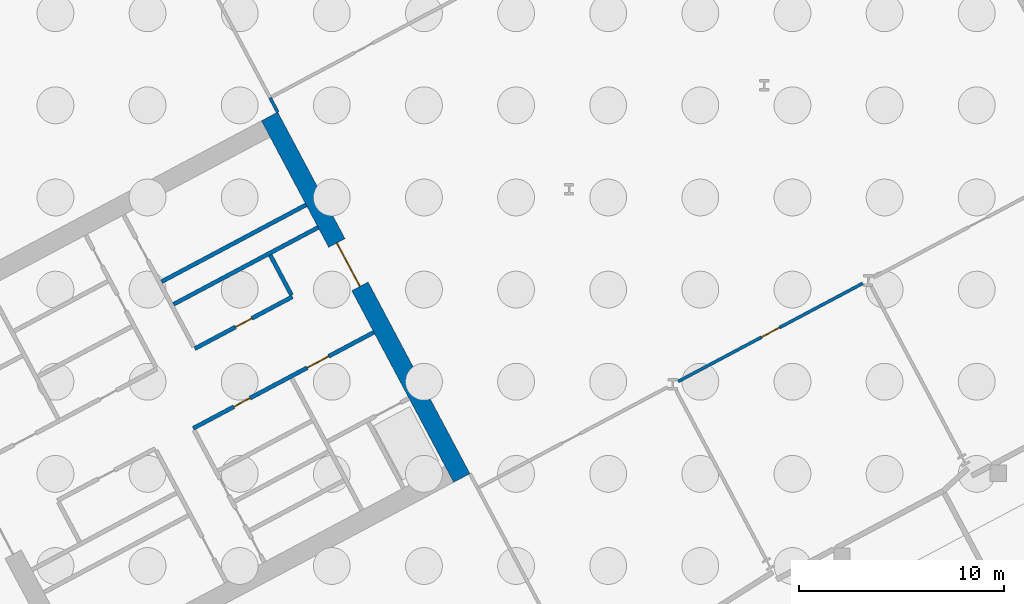
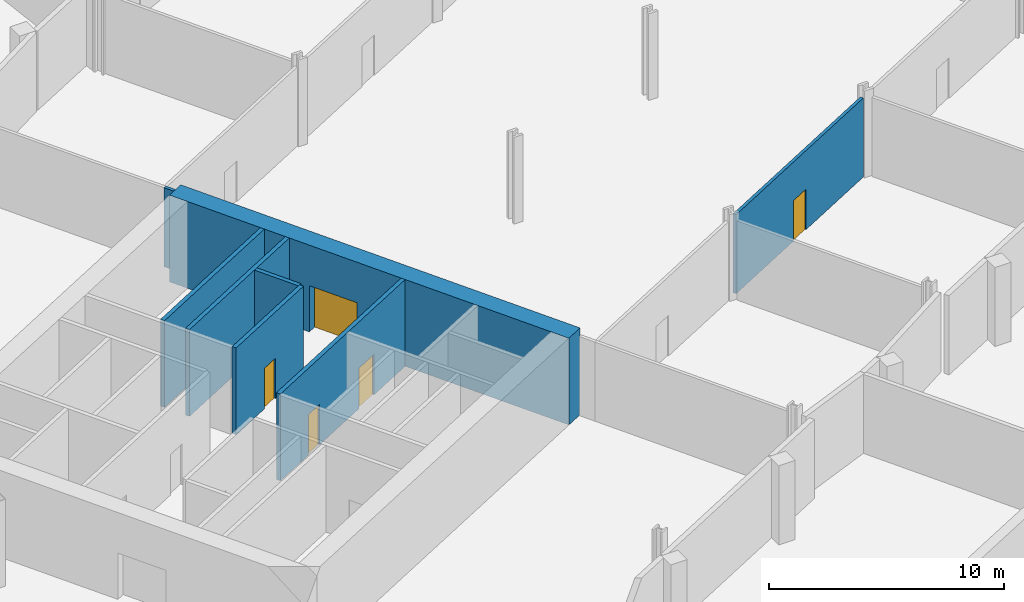
# One storey, part 15 of 29: 8 walls, 5 doors, 5 openings.
"""IFC4 building model written with IfcOpenShell, lengths in metres."""

from ifc_helpers import new_model, si_unit, direction, frame, frame_2d, origin, place, context, subcontext, project, spatial, rectangle, extrude, material, layer, layer_set, type_object, element, fill, save


model = new_model("IFC4")

# Units and contexts
model_context = context("Model", 3, precision=1e-05, world=origin(), true_north=direction((0.0, 1.0)))
body_context = subcontext(model_context, "Body", "Model", "MODEL_VIEW")
ifc_project = project(units=[si_unit("LENGTHUNIT", "METRE"), si_unit("AREAUNIT", "SQUARE_METRE"), si_unit("VOLUMEUNIT", "CUBIC_METRE"), si_unit("PLANEANGLEUNIT", "RADIAN"), si_unit("MASSUNIT", "GRAM", prefix="KILO")], contexts=[model_context])

# Site, building, storey
site_placement = place(None, origin())
site = spatial("IfcSite", under=ifc_project, at=site_placement, CompositionType="ELEMENT")
building_placement = place(site_placement, origin())
building = spatial("IfcBuilding", under=site, at=building_placement, Name="Cormorant Relay Tower", CompositionType="ELEMENT")
storey_placement = place(building_placement, frame((0.0, 0.0, -9.0)))
storey = spatial("IfcBuildingStorey", under=building, at=storey_placement, Name="B2", CompositionType="ELEMENT", Elevation=-9.0)

# Wall
ifc_material_1 = material(Name="Concrete 50 MPa", Category="concrete")
ifc_layer_1 = layer(ifc_material_1, 0.199951171875)
ifc_layer_set_1 = layer_set([ifc_layer_1], Name="Core shaft wall 200")
wall_type_1 = type_object("IfcWallType", Name="Core shaft wall 200", PredefinedType="SHEAR", material=ifc_layer_set_1)
wall_1_placement = place(storey_placement, frame((29.5283203125, 17.739013671875, 0.0), z_axis=(0.0, 0.0, 1.0), x_axis=(-0.469401318492, 0.882984938828, 0.0)))
element("IfcWall", 1, at=wall_1_placement, inside=storey, type_object=wall_type_1, Name="B2 core B shaft wall", PredefinedType="SHEAR", context=body_context, shape_type="SweptSolid", body=[
    extrude(rectangle(XDim=2.199951171875, YDim=0.199951171875, at=frame_2d((1.10009765625, 0.0))), origin(), (0.0, 0.0, 1.0), 4.5),
])

# Wall, openings, doors
wall_2_placement = place(storey_placement, frame((24.72607421875, 11.2216796875, 0.0), z_axis=(0.0, 0.0, 1.0), x_axis=(0.882940221191, 0.469485426614, 0.0)))
wall_2 = element("IfcWall", 2, at=wall_2_placement, inside=storey, type_object=wall_type_1, Name="B2 core B shaft wall", PredefinedType="SHEAR", context=body_context, shape_type="SweptSolid", body=[
    extrude(rectangle(XDim=10.0, YDim=0.199951171875, at=frame_2d((5.0, 0.0))), origin(), (0.0, 0.0, 1.0), 4.5),
])
opening_1_placement = place(wall_2_placement, frame((6.300048828125, 0.0, 0.0)))
opening_1 = element("IfcOpeningElement", 3, at=opening_1_placement, cuts=wall_2, Name="Opening CDC-004", PredefinedType="OPENING", context=body_context, shape_type="SweptSolid", body=[
    extrude(rectangle(XDim=1.199951171875, YDim=2.10009765625, at=frame_2d((0.60009765625, 1.050048828125))), frame((0.0, 0.10986328125, 0.0), z_axis=(0.0, -1.0, 0.0), x_axis=(1.0, 0.0, 0.0)), (0.0, 0.0, 1.0), 0.219970703125),
])
opening_2_placement = place(wall_2_placement, frame((2.25, 0.0, 0.0)))
opening_2 = element("IfcOpeningElement", 4, at=opening_2_placement, cuts=wall_2, Name="Opening CDD-013", PredefinedType="OPENING", context=body_context, shape_type="SweptSolid", body=[
    extrude(rectangle(XDim=0.89990234375, YDim=2.10009765625, at=frame_2d((0.449951171875, 1.050048828125))), frame((0.0, 0.10986328125, 0.0), z_axis=(0.0, -1.0, 0.0), x_axis=(1.0, 0.0, 0.0)), (0.0, 0.0, 1.0), 0.219970703125),
])
ifc_material_2 = material(Name="Steel fire door", Category="steel")
door_type_1 = type_object("IfcDoorType", Name="Core lobby door 1200x2100", OperationType="SINGLE_SWING_LEFT", PredefinedType="DOOR", material=ifc_material_2)
door_1_placement = place(opening_1_placement, frame((1.199951171875, 0.0, 0.0), z_axis=(0.0, 0.0, 1.0), x_axis=(-1.0, 0.0, 0.0)))
door_1 = element("IfcDoor", 5, at=door_1_placement, inside=storey, type_object=door_type_1, Name="Core lobby door 1200x2100", OperationType="SINGLE_SWING_RIGHT", OverallHeight=2.10009765625, OverallWidth=1.199951171875, PredefinedType="DOOR", context=body_context, shape_type="SweptSolid", body=[
    extrude(rectangle(XDim=1.199951171875, YDim=2.10009765625, at=frame_2d((0.60009765625, 1.050048828125))), frame((0.0, 0.02490234375, 0.0), z_axis=(0.0, -1.0, 0.0), x_axis=(1.0, 0.0, 0.0)), (0.0, 0.0, 1.0), 0.050048828125),
])
fill(opening_1, door_1)
ifc_material_3 = material(Name="Steel fire door", Category="steel")
door_type_2 = type_object("IfcDoorType", Name="Core room door 900x2100", OperationType="SINGLE_SWING_LEFT", PredefinedType="DOOR", material=ifc_material_3)
door_2_placement = place(opening_2_placement, frame((0.89990234375, 0.0, 0.0), z_axis=(0.0, 0.0, 1.0), x_axis=(-1.0, 0.0, 0.0)))
door_2 = element("IfcDoor", 6, at=door_2_placement, inside=storey, type_object=door_type_2, Name="Core room door 900x2100", OperationType="SINGLE_SWING_RIGHT", OverallHeight=2.10009765625, OverallWidth=0.89990234375, PredefinedType="DOOR", context=body_context, shape_type="SweptSolid", body=[
    extrude(rectangle(XDim=0.89990234375, YDim=2.10009765625, at=frame_2d((0.449951171875, 1.050048828125))), frame((0.0, 0.02490234375, 0.0), z_axis=(0.0, -1.0, 0.0), x_axis=(1.0, 0.0, 0.0)), (0.0, 0.0, 1.0), 0.050048828125),
])
fill(opening_2, door_2)

# Wall, opening, door
wall_3_placement = place(storey_placement, frame((24.807373046875, 15.11572265625, 0.0), z_axis=(0.0, 0.0, 1.0), x_axis=(0.882942972946, 0.469480251476, 0.0)))
wall_3 = element("IfcWall", 7, at=wall_3_placement, inside=storey, type_object=wall_type_1, Name="B2 core B shaft wall", PredefinedType="SHEAR", context=body_context, shape_type="SweptSolid", body=[
    extrude(rectangle(XDim=5.39990234375, YDim=0.199951171875, at=frame_2d((2.699951171875, 0.0))), origin(), (0.0, 0.0, 1.0), 4.5),
])
opening_3_placement = place(wall_3_placement, frame((2.25, 0.0, 0.0)))
opening_3 = element("IfcOpeningElement", 8, at=opening_3_placement, cuts=wall_3, Name="Opening CDD-011", PredefinedType="OPENING", context=body_context, shape_type="SweptSolid", body=[
    extrude(rectangle(XDim=0.89990234375, YDim=2.10009765625, at=frame_2d((0.449951171875, 1.050048828125))), frame((0.0, 0.10986328125, 0.0), z_axis=(0.0, -1.0, 0.0), x_axis=(1.0, 0.0, 0.0)), (0.0, 0.0, 1.0), 0.219970703125),
])
door_3_placement = place(opening_3_placement, origin())
door_3 = element("IfcDoor", 9, at=door_3_placement, inside=storey, type_object=door_type_2, Name="Core room door 900x2100", OperationType="SINGLE_SWING_LEFT", OverallHeight=2.10009765625, OverallWidth=0.89990234375, PredefinedType="DOOR", context=body_context, shape_type="SweptSolid", body=[
    extrude(rectangle(XDim=0.89990234375, YDim=2.10009765625, at=frame_2d((0.449951171875, 1.050048828125))), frame((0.0, 0.02490234375, 0.0), z_axis=(0.0, -1.0, 0.0), x_axis=(1.0, 0.0, 0.0)), (0.0, 0.0, 1.0), 0.050048828125),
])
fill(opening_3, door_3)

# Walls
wall_4_placement = place(storey_placement, frame((23.76904296875, 17.28173828125, 0.0), z_axis=(0.0, 0.0, 1.0), x_axis=(0.882940221191, 0.469485426614, 0.0)))
element("IfcWall", 10, at=wall_4_placement, inside=storey, type_object=wall_type_1, Name="B2 core B shaft wall", PredefinedType="SHEAR", context=body_context, shape_type="SweptSolid", body=[
    extrude(rectangle(XDim=8.0, YDim=0.199951171875, at=frame_2d((4.0, 0.0))), origin(), (0.0, 0.0, 1.0), 4.5),
])
wall_5_placement = place(storey_placement, frame((23.18212890625, 18.385498046875, 0.0), z_axis=(0.0, 0.0, 1.0), x_axis=(0.88295287151, 0.469461634952, 0.0)))
element("IfcWall", 11, at=wall_5_placement, inside=storey, type_object=wall_type_1, Name="B2 core B shaft wall", PredefinedType="SHEAR", context=body_context, shape_type="SweptSolid", body=[
    extrude(rectangle(XDim=7.999755859375, YDim=0.199951171875, at=frame_2d((4.0, 0.0))), origin(), (0.0, 0.0, 1.0), 4.5),
])

# Wall, opening, door
ifc_material_4 = material(Name="Concrete 70 MPa", Category="concrete")
ifc_layer_2 = layer(ifc_material_4, 0.89990234375)
ifc_layer_set_2 = layer_set([ifc_layer_2], Name="Core wall 900")
wall_type_2 = type_object("IfcWallType", Name="Core wall 900", PredefinedType="SHEAR", material=ifc_layer_set_2)
wall_6_placement = place(storey_placement, frame((37.849365234375, 8.799072265625, 0.0), z_axis=(0.0, 0.0, 1.0), x_axis=(-0.469465789982, 0.882950662289, 0.0)))
wall_6 = element("IfcWall", 12, at=wall_6_placement, inside=storey, type_object=wall_type_2, Name="B2 core B wall", PredefinedType="SHEAR", context=body_context, shape_type="SweptSolid", body=[
    extrude(rectangle(XDim=20.000244140625, YDim=0.89990234375, at=frame_2d((10.0, 0.0))), origin(), (0.0, 0.0, 1.0), 4.5),
])
opening_4_placement = place(wall_6_placement, frame((10.60009765625, 0.0, 0.0)))
opening_4 = element("IfcOpeningElement", 13, at=opening_4_placement, cuts=wall_6, Name="Opening CDA-004", PredefinedType="OPENING", context=body_context, shape_type="SweptSolid", body=[
    extrude(rectangle(XDim=2.39990234375, YDim=2.39990234375, at=frame_2d((1.199951171875, 1.199951171875))), frame((0.0, 0.4599609375, 0.0), z_axis=(0.0, -1.0, 0.0), x_axis=(1.0, 0.0, 0.0)), (0.0, 0.0, 1.0), 0.919921875),
])
ifc_material_5 = material(Name="Steel fire door", Category="steel")
door_type_3 = type_object("IfcDoorType", Name="Core lobby door 2400x2400", OperationType="DOUBLE_DOOR_SINGLE_SWING", PredefinedType="DOOR", material=ifc_material_5)
door_4_placement = place(opening_4_placement, origin())
door_4 = element("IfcDoor", 14, at=door_4_placement, inside=storey, type_object=door_type_3, Name="Core lobby door 2400x2400", OperationType="DOUBLE_DOOR_SINGLE_SWING", OverallHeight=2.39990234375, OverallWidth=2.39990234375, PredefinedType="DOOR", context=body_context, shape_type="SweptSolid", body=[
    extrude(rectangle(XDim=2.39990234375, YDim=2.39990234375, at=frame_2d((1.199951171875, 1.199951171875))), frame((0.0, 0.02490234375, 0.0), z_axis=(0.0, -1.0, 0.0), x_axis=(1.0, 0.0, 0.0)), (0.0, 0.0, 1.0), 0.050048828125),
])
fill(opening_4, door_4)

ifc_material_6 = material(Name="Gypsum board on steel stud", Category="steel")
ifc_layer_3 = layer(ifc_material_6, 0.14990234375)
ifc_layer_set_3 = layer_set([ifc_layer_3], Name="Partition 150")
wall_type_3 = type_object("IfcWallType", Name="Partition 150", PredefinedType="PARTITIONING", material=ifc_layer_set_3)
wall_7_placement = place(storey_placement, frame((48.420654296875, 13.513916015625, 0.0), z_axis=(0.0, 0.0, 1.0), x_axis=(0.882940965658, 0.469484026526, 0.0)))
wall_7 = element("IfcWall", 15, at=wall_7_placement, inside=storey, type_object=wall_type_3, Name="Partition", PredefinedType="PARTITIONING", context=body_context, shape_type="SweptSolid", body=[
    extrude(rectangle(XDim=10.205322265625, YDim=0.14990234375, at=frame_2d((5.1025390625, 0.0))), origin(), (0.0, 0.0, 1.0), 4.10009765625),
])
opening_5_placement = place(wall_7_placement, frame((4.6025390625, 0.0, 0.0)))
opening_5 = element("IfcOpeningElement", 16, at=opening_5_placement, cuts=wall_7, Name="Opening PD1-025", PredefinedType="OPENING", context=body_context, shape_type="SweptSolid", body=[
    extrude(rectangle(XDim=1.0, YDim=2.10009765625, at=frame_2d((0.5, 1.050048828125))), frame((0.0, 0.0849609375, 0.0), z_axis=(0.0, -1.0, 0.0), x_axis=(1.0, 0.0, 0.0)), (0.0, 0.0, 1.0), 0.169921875),
])
ifc_material_7 = material(Name="Steel door leaf", Category="steel")
door_type_4 = type_object("IfcDoorType", Name="Door single 1000", OperationType="SINGLE_SWING_LEFT", PredefinedType="DOOR", material=ifc_material_7)
door_5_placement = place(opening_5_placement, frame((1.0, 0.0, 0.0), z_axis=(0.0, 0.0, 1.0), x_axis=(-1.0, 0.0, 0.0)))
door_5 = element("IfcDoor", 17, at=door_5_placement, inside=storey, type_object=door_type_4, Name="Door", OperationType="SINGLE_SWING_RIGHT", OverallHeight=2.10009765625, OverallWidth=1.0, PredefinedType="DOOR", context=body_context, shape_type="SweptSolid", body=[
    extrude(rectangle(XDim=1.0, YDim=2.10009765625, at=frame_2d((0.5, 1.050048828125))), frame((0.0, 0.02490234375, 0.0), z_axis=(0.0, -1.0, 0.0), x_axis=(1.0, 0.0, 0.0)), (0.0, 0.0, 1.0), 0.050048828125),
])
fill(opening_5, door_5)

# Wall
wall_8_placement = place(storey_placement, frame((28.484619140625, 27.37060546875, 0.0), z_axis=(0.0, 0.0, 1.0), x_axis=(0.469454908155, -0.882956448082, 0.0)))
element("IfcWall", 18, at=wall_8_placement, inside=storey, type_object=wall_type_3, Name="Partition", PredefinedType="PARTITIONING", context=body_context, shape_type="SweptSolid", body=[
    extrude(rectangle(XDim=0.794189453125, YDim=0.14990234375, at=frame_2d((0.39697265625, 0.0))), origin(), (0.0, 0.0, 1.0), 4.10009765625),
])

save(model, "model.ifc")
